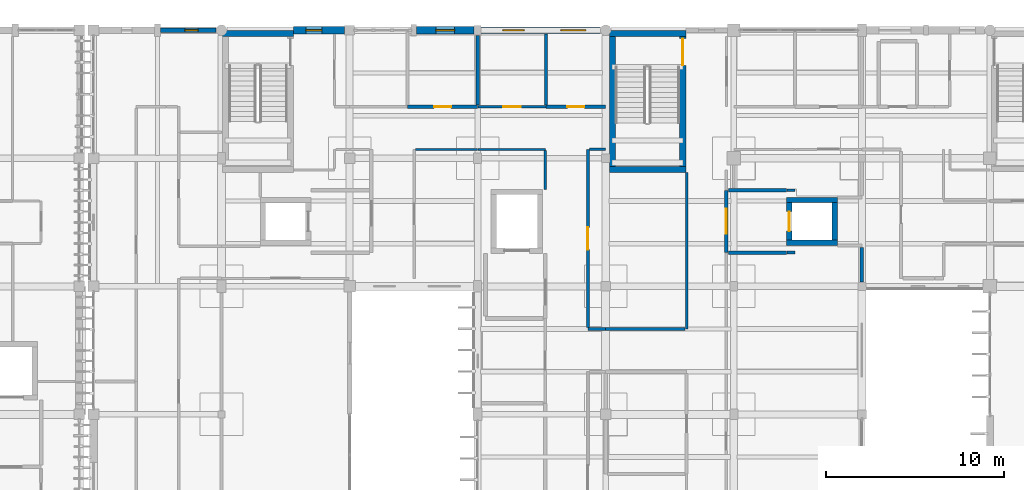
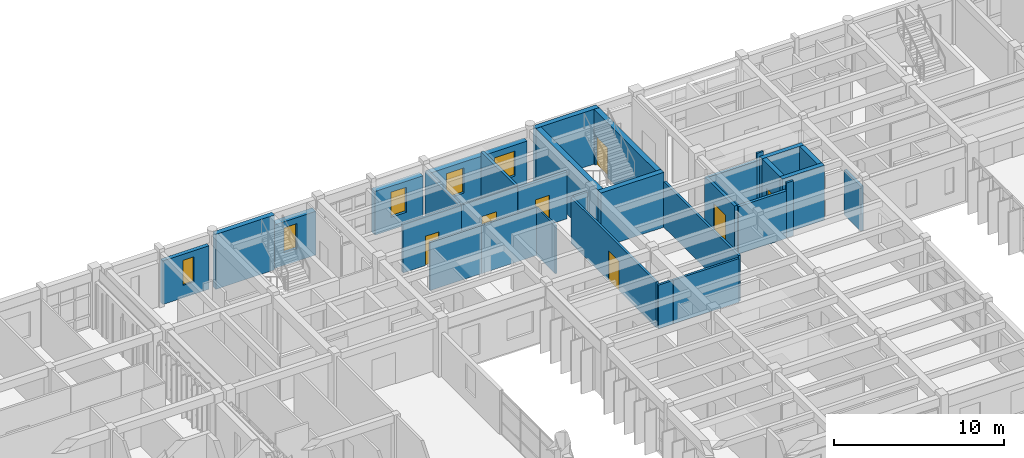
# One storey, part 40 of 55: 32 walls, 7 doors, 5 windows, 12 openings.
"""IFC4 building model written with IfcOpenShell, lengths in metres."""

import ifcopenshell
import ifcopenshell.guid

model = None  # the IFC model being written
_history = None  # IfcOwnerHistory: only IFC2X3 demands one
_inside = {}  # id of a spatial element -> (the spatial element, [elements in it])
_under = {}  # id of a project, library or spatial element -> (it, [spatial elements below it])
_declared = {}  # id of a project -> (the project, [libraries it declares])
_typed = {}  # id of a type object -> (the type object, [elements of that type])
_made_of = {}  # id of a material, layer set ... -> (it, [elements and type objects made of it])


def new_model(schema):
    """Start an empty IFC model of exactly this schema.

    Asked for "IFC4X3", IfcOpenShell would pick the latest addendum, in which some entities
    have other attributes; the version numbers below select the first issue.
    IFC2X3 requires an IfcOwnerHistory on every rooted entity: one is made here for all.
    """
    global model, _history
    if schema == "IFC4X3":
        model = ifcopenshell.file(schema_version=(4, 3, 0, 0))
    else:
        model = ifcopenshell.file(schema=schema)
    _inside.clear()
    _under.clear()
    _declared.clear()
    _typed.clear()
    _made_of.clear()
    _history = None
    if model.schema == "IFC2X3":
        org = make("IfcOrganization", Name="unknown")
        user = make(
            "IfcPersonAndOrganization",
            ThePerson=make("IfcPerson", FamilyName="unknown"),
            TheOrganization=org,
        )
        app = make(
            "IfcApplication",
            ApplicationDeveloper=org,
            Version="unknown",
            ApplicationFullName="unknown",
            ApplicationIdentifier="unknown",
        )
        _history = make(
            "IfcOwnerHistory",
            OwningUser=user,
            OwningApplication=app,
            ChangeAction="ADDED",
            CreationDate=0,
        )
    return model


def make(cls, **values):
    """One entity of the class cls with the attributes given. An attribute that is None is left unset."""
    return model.create_entity(
        cls, **{name: value for name, value in values.items() if value is not None}
    )


def rooted(cls, **values):
    """An entity with a GlobalId (a new one), such as an element, a storey or a relation."""
    return make(cls, GlobalId=ifcopenshell.guid.new(), OwnerHistory=_history, **values)


def si_unit(unit_type, name, prefix=None):
    """IfcSIUnit, for example si_unit("LENGTHUNIT", "METRE", prefix="MILLI")."""
    return make("IfcSIUnit", UnitType=unit_type, Prefix=prefix, Name=name)


def assignment(units):
    """IfcUnitAssignment: the units of a project."""
    return None if units is None else make("IfcUnitAssignment", Units=units)


def point(xyz):
    """IfcCartesianPoint."""
    return None if xyz is None else make("IfcCartesianPoint", Coordinates=xyz)


def direction(xyz):
    """IfcDirection."""
    return None if xyz is None else make("IfcDirection", DirectionRatios=xyz)


def frame(location, z_axis=None, x_axis=None):
    """IfcAxis2Placement3D, a coordinate frame: its origin and axes. An axis left out is left unset."""
    return make(
        "IfcAxis2Placement3D",
        Location=point(location),
        Axis=direction(z_axis),
        RefDirection=direction(x_axis),
    )


def frame_2d(location, x_axis=None):
    """IfcAxis2Placement2D, a coordinate frame in the plane: its origin and x axis."""
    return make(
        "IfcAxis2Placement2D", Location=point(location), RefDirection=direction(x_axis)
    )


def origin():
    """The frame at (0, 0, 0) with its axes left unset."""
    return frame((0.0, 0.0, 0.0))


def place(relative_to, where):
    """IfcLocalPlacement: puts the frame where relative to a parent placement (None: the world)."""
    return make(
        "IfcLocalPlacement", PlacementRelTo=relative_to, RelativePlacement=where
    )


def context(
    kind, dimensions, precision=None, world=None, true_north=None, identifier=None
):
    """IfcGeometricRepresentationContext, for example the 3D "Model" context."""
    return make(
        "IfcGeometricRepresentationContext",
        ContextIdentifier=identifier,
        ContextType=kind,
        CoordinateSpaceDimension=dimensions,
        Precision=precision,
        WorldCoordinateSystem=world,
        TrueNorth=true_north,
    )


def subcontext(parent, identifier, kind, view, scale=None):
    """IfcGeometricRepresentationSubContext, for example "Body" below "Model"."""
    return make(
        "IfcGeometricRepresentationSubContext",
        ContextIdentifier=identifier,
        ContextType=kind,
        ParentContext=parent,
        TargetScale=scale,
        TargetView=view,
    )


def project(units=None, contexts=None):
    """IfcProject with its units and contexts."""
    return rooted(
        "IfcProject",
        Name="project",
        RepresentationContexts=contexts,
        UnitsInContext=assignment(units),
    )


def spatial(cls, under=None, at=None, **own):
    """A site, building, storey or space (cls), placed at a placement, below another one or the project."""
    s = rooted(cls, ObjectPlacement=at, **own)
    if under is not None:
        _under.setdefault(under.id(), (under, []))[1].append(s)
    return s


def profile(cls, at=None, kind="AREA", **sizes):
    """A parametric profile (cls). Its sizes go by their IFC names, for example OverallWidth=200.0."""
    return make(cls, ProfileType=kind, Position=at, **sizes)


def rectangle(**sizes):
    """IfcRectangleProfileDef."""
    return profile("IfcRectangleProfileDef", **sizes)


def extrude(swept, where, along, depth):
    """IfcExtrudedAreaSolid: the profile swept, set in the frame where, extruded along a direction by depth."""
    return make(
        "IfcExtrudedAreaSolid",
        SweptArea=swept,
        Position=where,
        ExtrudedDirection=direction(along),
        Depth=depth,
    )


def shape(context_of_items, identifier, shape_type, items):
    """IfcShapeRepresentation: the items that make up one representation, for example the "Body"."""
    return make(
        "IfcShapeRepresentation",
        ContextOfItems=context_of_items,
        RepresentationIdentifier=identifier,
        RepresentationType=shape_type,
        Items=items,
    )


def material(Name=None, Category=None):
    """IfcMaterial."""
    return make("IfcMaterial", Name=Name, Category=Category)


def layer(
    of_material, thickness, ventilated=None, Name=None, Category=None, Priority=None
):
    """IfcMaterialLayer: one layer of a wall or slab, of a material (None: an air gap)."""
    return make(
        "IfcMaterialLayer",
        Material=of_material,
        LayerThickness=thickness,
        IsVentilated=ventilated,
        Name=Name,
        Category=Category,
        Priority=Priority,
    )


def layer_set(layers, Name=None):
    """IfcMaterialLayerSet."""
    return make("IfcMaterialLayerSet", MaterialLayers=layers, LayerSetName=Name)


def made_of(thing, what):
    """Note that an element or type object is made of a material, layer set ...; save() writes the relation."""
    if what is not None:
        _made_of.setdefault(what.id(), (what, []))[1].append(thing)
    return thing


def type_object(cls, material=None, **own):
    """A type object (cls), such as IfcWallType, which elements share."""
    return made_of(rooted(cls, **own), material)


def element(
    cls,
    number,
    at=None,
    inside=None,
    cuts=None,
    type_object=None,
    material=None,
    context=None,
    identifier="Body",
    shape_type=None,
    held_by="IfcProductDefinitionShape",
    body=None,
    shapes=None,
    **own,
):
    """One element of the class cls, such as IfcWall. Its Tag is "e" and its number.

    at: its placement. inside: the storey or other place that contains it. cuts: it is an
    opening in that element (IfcRelVoidsElement). A single representation is given by context,
    identifier, shape_type and body (its items); several are given by shapes. held_by: the class
    of the entity that holds the representations. save() writes the other relations.
    """
    e = rooted(cls, Tag="e%d" % number, ObjectPlacement=at, **own)
    if body is not None:
        shapes = [shape(context, identifier, shape_type, body)]
    if shapes is not None:
        e.Representation = make(held_by, Representations=shapes)
    if inside is not None:
        _inside.setdefault(inside.id(), (inside, []))[1].append(e)
    if cuts is not None:
        rooted(
            "IfcRelVoidsElement", RelatingBuildingElement=cuts, RelatedOpeningElement=e
        )
    if type_object is not None:
        _typed.setdefault(type_object.id(), (type_object, []))[1].append(e)
    return made_of(e, material)


def fill(opening, filler):
    """IfcRelFillsElement: the door or window that sits in an opening."""
    return rooted(
        "IfcRelFillsElement",
        RelatingOpeningElement=opening,
        RelatedBuildingElement=filler,
    )


def aggregate(whole, parts):
    """IfcRelAggregates: a whole, such as a stair, and the parts it consists of."""
    return rooted("IfcRelAggregates", RelatingObject=whole, RelatedObjects=parts)


def save(model, path):
    """Write the relations noted so far, then the file.

    IfcRelAggregates (storeys below a building ...), IfcRelContainedInSpatialStructure (elements
    in a storey), IfcRelDefinesByType, IfcRelAssociatesMaterial and IfcRelDeclares: one each for
    every whole, place, type object, material and project.
    """
    for whole, parts in _under.values():
        aggregate(whole, parts)
    for where, things in _inside.values():
        rooted(
            "IfcRelContainedInSpatialStructure",
            RelatedElements=things,
            RelatingStructure=where,
        )
    for kind, things in _typed.values():
        rooted("IfcRelDefinesByType", RelatedObjects=things, RelatingType=kind)
    for what, things in _made_of.values():
        rooted("IfcRelAssociatesMaterial", RelatedObjects=things, RelatingMaterial=what)
    for by, libraries in _declared.values():
        rooted("IfcRelDeclares", RelatingContext=by, RelatedDefinitions=libraries)
    model.write(path)


model = new_model("IFC4")

# Units and contexts
model_context = context("Model", 3, precision=1e-05, world=origin(), true_north=direction((0.0, 1.0)))
body_context = subcontext(model_context, "Body", "Model", "MODEL_VIEW")
ifc_project = project(units=[si_unit("LENGTHUNIT", "METRE"), si_unit("AREAUNIT", "SQUARE_METRE"), si_unit("VOLUMEUNIT", "CUBIC_METRE"), si_unit("PLANEANGLEUNIT", "RADIAN"), si_unit("MASSUNIT", "GRAM", prefix="KILO")], contexts=[model_context])

# Site, building, storey
site_placement = place(None, origin())
site = spatial("IfcSite", under=ifc_project, at=site_placement, CompositionType="ELEMENT")
building_placement = place(site_placement, origin())
building = spatial("IfcBuilding", under=site, at=building_placement, Name="Steenspoor Specialist Clinic", CompositionType="ELEMENT")
storey_placement = place(building_placement, frame((0.0, 0.0, 13.199951171875)))
storey = spatial("IfcBuildingStorey", under=building, at=storey_placement, Name="L03", CompositionType="ELEMENT", Elevation=13.199951171875)

# Wall, openings, windows
ifc_material_1 = material(Name="Extruded clay brick masonry", Category="masonry")
ifc_layer_1 = layer(ifc_material_1, 0.3798828125)
ifc_layer_set_1 = layer_set([ifc_layer_1], Name="Extruded clay brick masonry")
wall_type_1 = type_object("IfcWallType", Name="W-BRICK-380", PredefinedType="USERDEFINED", material=ifc_layer_set_1)
wall_1_placement = place(storey_placement, frame((74.199951171875, 108.35009765625, 0.0), z_axis=(0.0, 0.0, 1.0), x_axis=(1.0, 0.0, 0.0)))
wall_1 = element("IfcWall", 1, at=wall_1_placement, inside=storey, type_object=wall_type_1, Name="Exterior Brick Wall EW-V4-L03-0167", ObjectType="CAVITY VENEER", PredefinedType="USERDEFINED", context=body_context, shape_type="SweptSolid", body=[
    extrude(rectangle(XDim=6.699951171875, YDim=0.3798828125, at=frame_2d((3.35009765625, 0.0))), origin(), (0.0, 0.0, 1.0), 3.130126953125),
])
opening_1_placement = place(wall_1_placement, frame((1.215087890625, 0.0, 0.89990234375)))
opening_1 = element("IfcOpeningElement", 2, at=opening_1_placement, cuts=wall_1, Name="Opening WN-05", PredefinedType="OPENING", context=body_context, shape_type="SweptSolid", body=[
    extrude(rectangle(XDim=1.199951171875, YDim=1.800048828125, at=frame_2d((0.60009765625, 0.89990234375))), frame((0.0, 0.199951171875, 0.0), z_axis=(0.0, -1.0, 0.0), x_axis=(1.0, 0.0, 0.0)), (0.0, 0.0, 1.0), 0.39990234375),
])
opening_2_placement = place(wall_1_placement, frame((4.485107421875, 0.0, 0.89990234375)))
opening_2 = element("IfcOpeningElement", 3, at=opening_2_placement, cuts=wall_1, Name="Opening WN-06", PredefinedType="OPENING", context=body_context, shape_type="SweptSolid", body=[
    extrude(rectangle(XDim=1.39990234375, YDim=1.800048828125, at=frame_2d((0.699951171875, 0.89990234375))), frame((0.0, 0.199951171875, 0.0), z_axis=(0.0, -1.0, 0.0), x_axis=(1.0, 0.0, 0.0)), (0.0, 0.0, 1.0), 0.39990234375),
])
ifc_material_2 = material(Name="Thermally broken aluminium and low-emissivity glass", Category="aluminium")
window_type_1 = type_object("IfcWindowType", Name="WN-EXT-120X180", PartitioningType="SINGLE_PANEL", PredefinedType="WINDOW", material=ifc_material_2)
window_1_placement = place(opening_1_placement, origin())
window_1 = element("IfcWindow", 4, at=window_1_placement, inside=storey, type_object=window_type_1, Name="Window 0194", OverallHeight=1.800048828125, OverallWidth=1.199951171875, PartitioningType="SINGLE_PANEL", PredefinedType="WINDOW", context=body_context, shape_type="SweptSolid", body=[
    extrude(rectangle(XDim=1.199951171875, YDim=1.800048828125, at=frame_2d((0.60009765625, 0.89990234375))), frame((0.0, 0.030029296875, 0.0), z_axis=(0.0, -1.0, 0.0), x_axis=(1.0, 0.0, 0.0)), (0.0, 0.0, 1.0), 0.06005859375),
])
fill(opening_1, window_1)
window_type_2 = type_object("IfcWindowType", Name="WN-EXT-140X180", PartitioningType="SINGLE_PANEL", PredefinedType="WINDOW", material=ifc_material_2)
window_2_placement = place(opening_2_placement, origin())
window_2 = element("IfcWindow", 5, at=window_2_placement, inside=storey, type_object=window_type_2, Name="Window 0195", OverallHeight=1.800048828125, OverallWidth=1.39990234375, PartitioningType="SINGLE_PANEL", PredefinedType="WINDOW", context=body_context, shape_type="SweptSolid", body=[
    extrude(rectangle(XDim=1.39990234375, YDim=1.800048828125, at=frame_2d((0.699951171875, 0.89990234375))), frame((0.0, 0.030029296875, 0.0), z_axis=(0.0, -1.0, 0.0), x_axis=(1.0, 0.0, 0.0)), (0.0, 0.0, 1.0), 0.06005859375),
])
fill(opening_2, window_2)

# Wall, opening, window
ifc_layer_2 = layer(ifc_material_1, 0.409912109375)
ifc_layer_set_2 = layer_set([ifc_layer_2], Name="Extruded clay brick masonry")
wall_type_2 = type_object("IfcWallType", Name="W-BRICK-410", PredefinedType="USERDEFINED", material=ifc_layer_set_2)
wall_2_placement = place(storey_placement, frame((70.550048828125, 108.35009765625, 0.0), z_axis=(0.0, 0.0, 1.0), x_axis=(1.0, 0.0, 0.0)))
wall_2 = element("IfcWall", 6, at=wall_2_placement, inside=storey, type_object=wall_type_2, Name="Exterior Brick Wall EW-V4-L03-0166", ObjectType="CAVITY VENEER", PredefinedType="USERDEFINED", context=body_context, shape_type="SweptSolid", body=[
    extrude(rectangle(XDim=3.25, YDim=0.409912109375, at=frame_2d((1.625, 0.0))), origin(), (0.0, 0.0, 1.0), 3.130126953125),
])
opening_3_placement = place(wall_2_placement, frame((1.10009765625, 0.0, 0.89990234375)))
opening_3 = element("IfcOpeningElement", 7, at=opening_3_placement, cuts=wall_2, Name="Opening WN-04", PredefinedType="OPENING", context=body_context, shape_type="SweptSolid", body=[
    extrude(rectangle(XDim=1.050048828125, YDim=1.800048828125, at=frame_2d((0.52490234375, 0.89990234375))), frame((0.0, 0.21484375, 0.0), z_axis=(0.0, -1.0, 0.0), x_axis=(1.0, 0.0, 0.0)), (0.0, 0.0, 1.0), 0.429931640625),
])
window_type_3 = type_object("IfcWindowType", Name="WN-EXT-105X180", PartitioningType="SINGLE_PANEL", PredefinedType="WINDOW", material=ifc_material_2)
window_3_placement = place(opening_3_placement, origin())
window_3 = element("IfcWindow", 8, at=window_3_placement, inside=storey, type_object=window_type_3, Name="Window 0193", OverallHeight=1.800048828125, OverallWidth=1.050048828125, PartitioningType="SINGLE_PANEL", PredefinedType="WINDOW", context=body_context, shape_type="SweptSolid", body=[
    extrude(rectangle(XDim=1.050048828125, YDim=1.800048828125, at=frame_2d((0.52490234375, 0.89990234375))), frame((0.0, 0.030029296875, 0.0), z_axis=(0.0, -1.0, 0.0), x_axis=(1.0, 0.0, 0.0)), (0.0, 0.0, 1.0), 0.06005859375),
])
fill(opening_3, window_3)

ifc_layer_3 = layer(ifc_material_1, 0.43994140625)
ifc_layer_set_3 = layer_set([ifc_layer_3], Name="Extruded clay brick masonry")
wall_type_3 = type_object("IfcWallType", Name="W-BRICK-440", PredefinedType="USERDEFINED", material=ifc_layer_set_3)
wall_3_placement = place(storey_placement, frame((63.64990234375, 108.35009765625, 0.0), z_axis=(0.0, 0.0, 1.0), x_axis=(1.0, 0.0, 0.0)))
wall_3 = element("IfcWall", 9, at=wall_3_placement, inside=storey, type_object=wall_type_3, Name="Exterior Brick Wall EW-V4-L03-0165", ObjectType="CAVITY VENEER", PredefinedType="USERDEFINED", context=body_context, shape_type="SweptSolid", body=[
    extrude(rectangle(XDim=2.875, YDim=0.43994140625, at=frame_2d((1.4375, 0.0))), origin(), (0.0, 0.0, 1.0), 3.130126953125),
])
opening_4_placement = place(wall_3_placement, frame((0.68994140625, 0.0, 0.89990234375)))
opening_4 = element("IfcOpeningElement", 10, at=opening_4_placement, cuts=wall_3, Name="Opening WN-03", PredefinedType="OPENING", context=body_context, shape_type="SweptSolid", body=[
    extrude(rectangle(XDim=0.89990234375, YDim=1.800048828125, at=frame_2d((0.449951171875, 0.89990234375))), frame((0.0, 0.22998046875, 0.0), z_axis=(0.0, -1.0, 0.0), x_axis=(1.0, 0.0, 0.0)), (0.0, 0.0, 1.0), 0.4599609375),
])
window_type_4 = type_object("IfcWindowType", Name="WN-EXT-090X180", PartitioningType="SINGLE_PANEL", PredefinedType="WINDOW", material=ifc_material_2)
window_4_placement = place(opening_4_placement, origin())
window_4 = element("IfcWindow", 11, at=window_4_placement, inside=storey, type_object=window_type_4, Name="Window 0192", OverallHeight=1.800048828125, OverallWidth=0.89990234375, PartitioningType="SINGLE_PANEL", PredefinedType="WINDOW", context=body_context, shape_type="SweptSolid", body=[
    extrude(rectangle(XDim=0.89990234375, YDim=1.800048828125, at=frame_2d((0.449951171875, 0.89990234375))), frame((0.0, 0.030029296875, 0.0), z_axis=(0.0, -1.0, 0.0), x_axis=(1.0, 0.0, 0.0)), (0.0, 0.0, 1.0), 0.06005859375),
])
fill(opening_4, window_4)

# Walls
ifc_material_3 = material(Name="Gypsum acoustic clinical partition", Category="gypsum")
ifc_layer_4 = layer(ifc_material_3, 0.14990234375)
ifc_layer_set_4 = layer_set([ifc_layer_4], Name="Gypsum acoustic clinical partition")
wall_type_4 = type_object("IfcWallType", Name="W-CLIN-150", PredefinedType="PARTITIONING", material=ifc_layer_set_4)
wall_4_placement = place(storey_placement, frame((85.75, 91.550048828125, 0.0), z_axis=(0.0, 0.0, 1.0), x_axis=(0.0, 1.0, 0.0)))
element("IfcWall", 12, at=wall_4_placement, inside=storey, type_object=wall_type_4, Name="Interior Partition IW-V4-L03-1579", PredefinedType="PARTITIONING", context=body_context, shape_type="SweptSolid", body=[
    extrude(rectangle(XDim=8.800048828125, YDim=0.14990234375, at=frame_2d((4.39990234375, 0.0))), origin(), (0.0, 0.0, 1.0), 3.28515625),
])
wall_5_placement = place(storey_placement, frame((81.199951171875, 91.550048828125, 0.0), z_axis=(0.0, 0.0, 1.0), x_axis=(1.0, 0.0, 0.0)))
element("IfcWall", 13, at=wall_5_placement, inside=storey, type_object=wall_type_4, Name="Interior Partition IW-V4-L03-1580", PredefinedType="PARTITIONING", context=body_context, shape_type="SweptSolid", body=[
    extrude(rectangle(XDim=4.4599609375, YDim=0.14990234375, at=frame_2d((2.22998046875, 0.0))), origin(), (0.0, 0.0, 1.0), 3.135009765625),
])
wall_6_placement = place(storey_placement, frame((80.199951171875, 91.550048828125, 0.0), z_axis=(0.0, 0.0, 1.0), x_axis=(1.0, 0.0, 0.0)))
element("IfcWall", 14, at=wall_6_placement, inside=storey, type_object=wall_type_4, Name="Interior Partition IW-V4-L03-1581", PredefinedType="PARTITIONING", context=body_context, shape_type="SweptSolid", body=[
    extrude(rectangle(XDim=0.985107421875, YDim=0.14990234375, at=frame_2d((0.49267578125, 0.0))), origin(), (0.0, 0.0, 1.0), 3.135009765625),
])

# Wall, opening, door
wall_7_placement = place(storey_placement, frame((80.199951171875, 91.639892578125, 0.0), z_axis=(0.0, 0.0, 1.0), x_axis=(0.0, 1.0, 0.0)))
wall_7 = element("IfcWall", 15, at=wall_7_placement, inside=storey, type_object=wall_type_4, Name="Interior Partition IW-V4-L03-1582", PredefinedType="PARTITIONING", context=body_context, shape_type="SweptSolid", body=[
    extrude(rectangle(XDim=10.010009765625, YDim=0.14990234375, at=frame_2d((5.0048828125, 0.0))), origin(), (0.0, 0.0, 1.0), 3.28515625),
])
opening_5_placement = place(wall_7_placement, frame((4.3798828125, 0.0, 0.0)))
opening_5 = element("IfcOpeningElement", 16, at=opening_5_placement, cuts=wall_7, Name="Opening D0272", PredefinedType="OPENING", context=body_context, shape_type="SweptSolid", body=[
    extrude(rectangle(XDim=1.25, YDim=2.14990234375, at=frame_2d((0.625, 1.074951171875))), frame((0.0, 0.0849609375, 0.0), z_axis=(0.0, -1.0, 0.0), x_axis=(1.0, 0.0, 0.0)), (0.0, 0.0, 1.0), 0.169921875),
])
ifc_material_4 = material(Name="Hygienic HPL clinical timber door", Category="wood")
door_type_1 = type_object("IfcDoorType", Name="DT-EXAM-125X215", OperationType="NOTDEFINED", PredefinedType="DOOR", material=ifc_material_4)
door_1_placement = place(opening_5_placement, origin())
door_1 = element("IfcDoor", 17, at=door_1_placement, inside=storey, type_object=door_type_1, Name="Clinical Door D0272", OperationType="SINGLE_SWING_LEFT", OverallHeight=2.14990234375, OverallWidth=1.25, PredefinedType="DOOR", context=body_context, shape_type="SweptSolid", body=[
    extrude(rectangle(XDim=1.25, YDim=2.14990234375, at=frame_2d((0.625, 1.074951171875))), frame((0.0, 0.02490234375, 0.0), z_axis=(0.0, -1.0, 0.0), x_axis=(1.0, 0.0, 0.0)), (0.0, 0.0, 1.0), 0.050048828125),
])
fill(opening_5, door_1)

# Walls
wall_8_placement = place(storey_placement, frame((80.2900390625, 101.64990234375, 0.0), z_axis=(0.0, 0.0, 1.0), x_axis=(1.0, 0.0, 0.0)))
element("IfcWall", 18, at=wall_8_placement, inside=storey, type_object=wall_type_4, Name="Interior Partition IW-V4-L03-1583", PredefinedType="PARTITIONING", context=body_context, shape_type="SweptSolid", body=[
    extrude(rectangle(XDim=0.909912109375, YDim=0.14990234375, at=frame_2d((0.455078125, 0.0))), origin(), (0.0, 0.0, 1.0), 3.35498046875),
])
wall_9_placement = place(storey_placement, frame((91.389892578125, 95.85009765625, 0.0), z_axis=(0.0, 0.0, 1.0), x_axis=(1.0, 0.0, 0.0)))
element("IfcWall", 19, at=wall_9_placement, inside=storey, type_object=wall_type_4, Name="Interior Partition IW-V4-L03-1736", PredefinedType="PARTITIONING", context=body_context, shape_type="SweptSolid", body=[
    extrude(rectangle(XDim=0.460205078125, YDim=0.14990234375, at=frame_2d((0.22998046875, 0.0))), origin(), (0.0, 0.0, 1.0), 3.949951171875),
])
ifc_material_5 = material(Name="Concrete C40/50", Category="concrete")
ifc_layer_5 = layer(ifc_material_5, 0.330078125)
ifc_layer_set_5 = layer_set([ifc_layer_5], Name="Concrete C40/50")
wall_type_5 = type_object("IfcWallType", Name="W-ESW-330", PredefinedType="SHEAR", material=ifc_layer_set_5)
wall_10_placement = place(storey_placement, frame((59.64990234375, 108.175048828125, 0.0), z_axis=(0.0, 0.0, 1.0), x_axis=(1.0, 0.0, 0.0)))
element("IfcWall", 20, at=wall_10_placement, inside=storey, type_object=wall_type_5, Name="Core Shear Wall SW-ST-V4A-L03-N", PredefinedType="SHEAR", context=body_context, shape_type="SweptSolid", body=[
    extrude(rectangle(XDim=4.0, YDim=0.330078125, at=frame_2d((2.0, 0.0))), origin(), (0.0, 0.0, 1.0), 3.949951171875),
])
wall_11_placement = place(storey_placement, frame((81.39990234375, 108.175048828125, 0.0), z_axis=(0.0, 0.0, 1.0), x_axis=(1.0, 0.0, 0.0)))
element("IfcWall", 21, at=wall_11_placement, inside=storey, type_object=wall_type_5, Name="Core Shear Wall SW-ST-V4C-L03-N", PredefinedType="SHEAR", context=body_context, shape_type="SweptSolid", body=[
    extrude(rectangle(XDim=4.300048828125, YDim=0.330078125, at=frame_2d((2.14990234375, 0.0))), origin(), (0.0, 0.0, 1.0), 3.949951171875),
])
ifc_material_6 = material(Name="Gypsum studio partition board", Category="gypsum")
ifc_layer_6 = layer(ifc_material_6, 0.1201171875)
ifc_layer_set_6 = layer_set([ifc_layer_6], Name="Gypsum studio partition board")
wall_type_6 = type_object("IfcWallType", Name="W-PART-120", PredefinedType="PARTITIONING", material=ifc_layer_set_6)
wall_12_placement = place(storey_placement, frame((70.5048828125, 101.64990234375, 0.0), z_axis=(0.0, 0.0, 1.0), x_axis=(1.0, 0.0, 0.0)))
element("IfcWall", 22, at=wall_12_placement, inside=storey, type_object=wall_type_6, Name="Interior Partition IW-V4-L03-1649", PredefinedType="PARTITIONING", context=body_context, shape_type="SweptSolid", body=[
    extrude(rectangle(XDim=3.4951171875, YDim=0.1201171875, at=frame_2d((1.74755859375, 0.0))), origin(), (0.0, 0.0, 1.0), 3.455078125),
])
wall_13_placement = place(storey_placement, frame((74.014892578125, 101.64990234375, 0.0), z_axis=(0.0, 0.0, 1.0), x_axis=(1.0, 0.0, 0.0)))
element("IfcWall", 23, at=wall_13_placement, inside=storey, type_object=wall_type_6, Name="Interior Partition IW-V4-L03-1650", PredefinedType="PARTITIONING", context=body_context, shape_type="SweptSolid", body=[
    extrude(rectangle(XDim=3.78515625, YDim=0.1201171875, at=frame_2d((1.892578125, 0.0))), origin(), (0.0, 0.0, 1.0), 3.455078125),
])
wall_14_placement = place(storey_placement, frame((77.800048828125, 99.39990234375, 0.0), z_axis=(0.0, 0.0, 1.0), x_axis=(0.0, 1.0, 0.0)))
element("IfcWall", 24, at=wall_14_placement, inside=storey, type_object=wall_type_6, Name="Interior Partition IW-V4-L03-1651", PredefinedType="PARTITIONING", context=body_context, shape_type="SweptSolid", body=[
    extrude(rectangle(XDim=2.175048828125, YDim=0.1201171875, at=frame_2d((1.08740234375, 0.0))), origin(), (0.0, 0.0, 1.0), 3.455078125),
])

# Wall, opening, door
wall_15_placement = place(storey_placement, frame((74.014892578125, 104.050048828125, 0.0), z_axis=(0.0, 0.0, 1.0), x_axis=(1.0, 0.0, 0.0)))
wall_15 = element("IfcWall", 25, at=wall_15_placement, inside=storey, type_object=wall_type_6, Name="Interior Partition IW-V4-L03-1667", PredefinedType="PARTITIONING", context=body_context, shape_type="SweptSolid", body=[
    extrude(rectangle(XDim=3.820068359375, YDim=0.1201171875, at=frame_2d((1.91015625, 0.0))), origin(), (0.0, 0.0, 1.0), 3.455078125),
])
opening_6_placement = place(wall_15_placement, frame((1.409912109375, 0.0, 0.0)))
opening_6 = element("IfcOpeningElement", 26, at=opening_6_placement, cuts=wall_15, Name="Opening D0281", PredefinedType="OPENING", context=body_context, shape_type="SweptSolid", body=[
    extrude(rectangle(XDim=1.0, YDim=2.14990234375, at=frame_2d((0.5, 1.074951171875))), frame((0.0, 0.070068359375, 0.0), z_axis=(0.0, -1.0, 0.0), x_axis=(1.0, 0.0, 0.0)), (0.0, 0.0, 1.0), 0.14013671875),
])
ifc_material_7 = material(Name="Moisture-resistant HPL accessible WC door", Category="wood")
door_type_2 = type_object("IfcDoorType", Name="DT-AWC-100X215", OperationType="NOTDEFINED", PredefinedType="DOOR", material=ifc_material_7)
door_2_placement = place(opening_6_placement, origin())
door_2 = element("IfcDoor", 27, at=door_2_placement, inside=storey, type_object=door_type_2, Name="Clinical Door D0281", OperationType="SINGLE_SWING_RIGHT", OverallHeight=2.14990234375, OverallWidth=1.0, PredefinedType="DOOR", context=body_context, shape_type="SweptSolid", body=[
    extrude(rectangle(XDim=1.0, YDim=2.14990234375, at=frame_2d((0.5, 1.074951171875))), frame((0.0, 0.02490234375, 0.0), z_axis=(0.0, -1.0, 0.0), x_axis=(1.0, 0.0, 0.0)), (0.0, 0.0, 1.0), 0.050048828125),
])
fill(opening_6, door_2)

# Wall
wall_16_placement = place(storey_placement, frame((91.389892578125, 99.35009765625, 0.0), z_axis=(0.0, 0.0, 1.0), x_axis=(1.0, 0.0, 0.0)))
element("IfcWall", 28, at=wall_16_placement, inside=storey, type_object=wall_type_6, Name="Interior Partition IW-V4-L03-1778", PredefinedType="PARTITIONING", context=body_context, shape_type="SweptSolid", body=[
    extrude(rectangle(XDim=0.460205078125, YDim=0.1201171875, at=frame_2d((0.22998046875, 0.0))), origin(), (0.0, 0.0, 1.0), 3.949951171875),
])

# Wall, opening, door
ifc_material_8 = material(Name="Moisture-resistant gypsum plumbing wall", Category="gypsum")
ifc_layer_7 = layer(ifc_material_8, 0.179931640625)
ifc_layer_set_7 = layer_set([ifc_layer_7], Name="Moisture-resistant gypsum plumbing wall")
wall_type_7 = type_object("IfcWallType", Name="W-PLUMB-180", PredefinedType="PLUMBINGWALL", material=ifc_layer_set_7)
wall_17_placement = place(storey_placement, frame((70.050048828125, 104.050048828125, 0.0), z_axis=(0.0, 0.0, 1.0), x_axis=(1.0, 0.0, 0.0)))
wall_17 = element("IfcWall", 29, at=wall_17_placement, inside=storey, type_object=wall_type_7, Name="Interior Partition IW-V4-L03-1550", PredefinedType="PLUMBINGWALL", context=body_context, shape_type="SweptSolid", body=[
    extrude(rectangle(XDim=3.949951171875, YDim=0.179931640625, at=frame_2d((1.97509765625, 0.0))), origin(), (0.0, 0.0, 1.0), 3.455078125),
])
opening_7_placement = place(wall_17_placement, frame((1.5, 0.0, 0.0)))
opening_7 = element("IfcOpeningElement", 30, at=opening_7_placement, cuts=wall_17, Name="Opening D0280", PredefinedType="OPENING", context=body_context, shape_type="SweptSolid", body=[
    extrude(rectangle(XDim=0.949951171875, YDim=2.10009765625, at=frame_2d((0.47509765625, 1.050048828125))), frame((0.0, 0.10009765625, 0.0), z_axis=(0.0, -1.0, 0.0), x_axis=(1.0, 0.0, 0.0)), (0.0, 0.0, 1.0), 0.199951171875),
])
ifc_material_9 = material(Name="Moisture-resistant HPL sanitary door", Category="wood")
door_type_3 = type_object("IfcDoorType", Name="DT-WC-095X210", OperationType="NOTDEFINED", PredefinedType="DOOR", material=ifc_material_9)
door_3_placement = place(opening_7_placement, origin())
door_3 = element("IfcDoor", 31, at=door_3_placement, inside=storey, type_object=door_type_3, Name="Clinical Door D0280", OperationType="SINGLE_SWING_LEFT", OverallHeight=2.10009765625, OverallWidth=0.949951171875, PredefinedType="DOOR", context=body_context, shape_type="SweptSolid", body=[
    extrude(rectangle(XDim=0.949951171875, YDim=2.10009765625, at=frame_2d((0.47509765625, 1.050048828125))), frame((0.0, 0.02490234375, 0.0), z_axis=(0.0, -1.0, 0.0), x_axis=(1.0, 0.0, 0.0)), (0.0, 0.0, 1.0), 0.050048828125),
])
fill(opening_7, door_3)

wall_18_placement = place(storey_placement, frame((77.85009765625, 104.050048828125, 0.0), z_axis=(0.0, 0.0, 1.0), x_axis=(1.0, 0.0, 0.0)))
wall_18 = element("IfcWall", 32, at=wall_18_placement, inside=storey, type_object=wall_type_7, Name="Interior Partition IW-V4-L03-1551", PredefinedType="PLUMBINGWALL", context=body_context, shape_type="SweptSolid", body=[
    extrude(rectangle(XDim=3.349853515625, YDim=0.179931640625, at=frame_2d((1.6748046875, 0.0))), origin(), (0.0, 0.0, 1.0), 3.35498046875),
])
opening_8_placement = place(wall_18_placement, frame((1.199951171875, 0.0, 0.0)))
opening_8 = element("IfcOpeningElement", 33, at=opening_8_placement, cuts=wall_18, Name="Opening D0282", PredefinedType="OPENING", context=body_context, shape_type="SweptSolid", body=[
    extrude(rectangle(XDim=0.949951171875, YDim=2.10009765625, at=frame_2d((0.47509765625, 1.050048828125))), frame((0.0, 0.10009765625, 0.0), z_axis=(0.0, -1.0, 0.0), x_axis=(1.0, 0.0, 0.0)), (0.0, 0.0, 1.0), 0.199951171875),
])
door_4_placement = place(opening_8_placement, origin())
door_4 = element("IfcDoor", 34, at=door_4_placement, inside=storey, type_object=door_type_3, Name="Clinical Door D0282", OperationType="SINGLE_SWING_LEFT", OverallHeight=2.10009765625, OverallWidth=0.949951171875, PredefinedType="DOOR", context=body_context, shape_type="SweptSolid", body=[
    extrude(rectangle(XDim=0.949951171875, YDim=2.10009765625, at=frame_2d((0.47509765625, 1.050048828125))), frame((0.0, 0.02490234375, 0.0), z_axis=(0.0, -1.0, 0.0), x_axis=(1.0, 0.0, 0.0)), (0.0, 0.0, 1.0), 0.050048828125),
])
fill(opening_8, door_4)

# Walls
wall_19_placement = place(storey_placement, frame((95.60009765625, 94.18994140625, 0.0), z_axis=(0.0, 0.0, 1.0), x_axis=(0.0, 1.0, 0.0)))
element("IfcWall", 35, at=wall_19_placement, inside=storey, type_object=wall_type_7, Name="Interior Partition IW-V4-L03-1700", PredefinedType="PLUMBINGWALL", context=body_context, shape_type="SweptSolid", body=[
    extrude(rectangle(XDim=1.955078125, YDim=0.179931640625, at=frame_2d((0.9775390625, 0.0))), origin(), (0.0, 0.0, 1.0), 3.235107421875),
])
wall_20_placement = place(storey_placement, frame((74.0, 104.155029296875, 0.0), z_axis=(0.0, 0.0, 1.0), x_axis=(0.0, 1.0, 0.0)))
element("IfcWall", 36, at=wall_20_placement, inside=storey, type_object=wall_type_7, Name="Interior Partition IW-V4-L03-1710", PredefinedType="PLUMBINGWALL", context=body_context, shape_type="SweptSolid", body=[
    extrude(rectangle(XDim=3.905029296875, YDim=0.179931640625, at=frame_2d((1.95263671875, 0.0))), origin(), (0.0, 0.0, 1.0), 3.455078125),
])
wall_21_placement = place(storey_placement, frame((77.85009765625, 104.155029296875, 0.0), z_axis=(0.0, 0.0, 1.0), x_axis=(0.0, 1.0, 0.0)))
element("IfcWall", 37, at=wall_21_placement, inside=storey, type_object=wall_type_7, Name="Interior Partition IW-V4-L03-1711", PredefinedType="PLUMBINGWALL", context=body_context, shape_type="SweptSolid", body=[
    extrude(rectangle(XDim=3.989990234375, YDim=0.179931640625, at=frame_2d((1.9951171875, 0.0))), origin(), (0.0, 0.0, 1.0), 3.47509765625),
])

# Wall, opening, window
ifc_layer_8 = layer(ifc_material_1, 0.260009765625)
ifc_layer_set_8 = layer_set([ifc_layer_8], Name="Extruded clay brick masonry")
wall_type_8 = type_object("IfcWallType", Name="W-SCREEN-260", PredefinedType="SOLIDWALL", material=ifc_layer_set_8)
wall_22_placement = place(storey_placement, frame((56.169921875, 108.35009765625, 0.0), z_axis=(0.0, 0.0, 1.0), x_axis=(1.0, 0.0, 0.0)))
wall_22 = element("IfcWall", 38, at=wall_22_placement, inside=storey, type_object=wall_type_8, Name="Exterior Brick Wall EW-V4-L03-0164", PredefinedType="SOLIDWALL", context=body_context, shape_type="SweptSolid", body=[
    extrude(rectangle(XDim=3.130126953125, YDim=0.260009765625, at=frame_2d((1.56494140625, 0.0))), origin(), (0.0, 0.0, 1.0), 3.130126953125),
])
opening_9_placement = place(wall_22_placement, frame((1.364990234375, 0.0, 0.89990234375)))
opening_9 = element("IfcOpeningElement", 39, at=opening_9_placement, cuts=wall_22, Name="Opening WN-02", PredefinedType="OPENING", context=body_context, shape_type="SweptSolid", body=[
    extrude(rectangle(XDim=0.75, YDim=1.800048828125, at=frame_2d((0.375, 0.89990234375))), frame((0.0, 0.14013671875, 0.0), z_axis=(0.0, -1.0, 0.0), x_axis=(1.0, 0.0, 0.0)), (0.0, 0.0, 1.0), 0.280029296875),
])
window_type_5 = type_object("IfcWindowType", Name="WN-EXT-075X180", PartitioningType="SINGLE_PANEL", PredefinedType="WINDOW", material=ifc_material_2)
window_5_placement = place(opening_9_placement, origin())
window_5 = element("IfcWindow", 40, at=window_5_placement, inside=storey, type_object=window_type_5, Name="Window 0191", OverallHeight=1.800048828125, OverallWidth=0.75, PartitioningType="SINGLE_PANEL", PredefinedType="WINDOW", context=body_context, shape_type="SweptSolid", body=[
    extrude(rectangle(XDim=0.75, YDim=1.800048828125, at=frame_2d((0.375, 0.89990234375))), frame((0.0, 0.030029296875, 0.0), z_axis=(0.0, -1.0, 0.0), x_axis=(1.0, 0.0, 0.0)), (0.0, 0.0, 1.0), 0.06005859375),
])
fill(opening_9, window_5)

# Wall, opening, door
ifc_material_10 = material(Name="Gypsum acoustic smoke barrier board", Category="gypsum")
ifc_layer_9 = layer(ifc_material_10, 0.199951171875)
ifc_layer_set_9 = layer_set([ifc_layer_9], Name="Gypsum acoustic smoke barrier board")
wall_type_9 = type_object("IfcWallType", Name="W-SMOKE-200", PredefinedType="PARTITIONING", material=ifc_layer_set_9)
wall_23_placement = place(storey_placement, frame((87.97509765625, 95.85009765625, 0.0), z_axis=(0.0, 0.0, 1.0), x_axis=(0.0, 1.0, 0.0)))
wall_23 = element("IfcWall", 41, at=wall_23_placement, inside=storey, type_object=wall_type_9, Name="Interior Partition IW-V4-L03-1516", PredefinedType="PARTITIONING", context=body_context, shape_type="SweptSolid", body=[
    extrude(rectangle(XDim=3.5, YDim=0.199951171875, at=frame_2d((1.75, 0.0))), origin(), (0.0, 0.0, 1.0), 3.47509765625),
])
opening_10_placement = place(wall_23_placement, frame((1.050048828125, 0.0, 0.0)))
opening_10 = element("IfcOpeningElement", 42, at=opening_10_placement, cuts=wall_23, Name="Opening D0255", PredefinedType="OPENING", context=body_context, shape_type="SweptSolid", body=[
    extrude(rectangle(XDim=1.39990234375, YDim=2.199951171875, at=frame_2d((0.699951171875, 1.10009765625))), frame((0.0, 0.10986328125, 0.0), z_axis=(0.0, -1.0, 0.0), x_axis=(1.0, 0.0, 0.0)), (0.0, 0.0, 1.0), 0.219970703125),
])
ifc_material_11 = material(Name="Fire-rated clinical laminate door", Category="steel")
door_type_4 = type_object("IfcDoorType", Name="DT-LAB-140X220", OperationType="NOTDEFINED", PredefinedType="DOOR", material=ifc_material_11)
door_5_placement = place(opening_10_placement, origin())
door_5 = element("IfcDoor", 43, at=door_5_placement, inside=storey, type_object=door_type_4, Name="Lift Lobby Fire Door D0255", OperationType="SINGLE_SWING_RIGHT", OverallHeight=2.199951171875, OverallWidth=1.39990234375, PredefinedType="DOOR", context=body_context, shape_type="SweptSolid", body=[
    extrude(rectangle(XDim=1.39990234375, YDim=2.199951171875, at=frame_2d((0.699951171875, 1.10009765625))), frame((0.0, 0.02490234375, 0.0), z_axis=(0.0, -1.0, 0.0), x_axis=(1.0, 0.0, 0.0)), (0.0, 0.0, 1.0), 0.050048828125),
])
fill(opening_10, door_5)

# Walls
for number, where, z_axis, x_axis, name in (
    (44, (88.090087890625, 99.35009765625, 0.0), (0.0, 0.0, 1.0), (1.0, 0.0, 0.0), "Interior Partition IW-V4-L03-1528"),
    (45, (88.090087890625, 95.85009765625, 0.0), (0.0, 0.0, 1.0), (1.0, 0.0, 0.0), "Interior Partition IW-V4-L03-1529"),
):
    element("IfcWall", number, at=place(storey_placement, frame(where, z_axis=z_axis, x_axis=x_axis)), inside=storey, type_object=wall_type_9, Name=name, PredefinedType="PARTITIONING", context=body_context, shape_type="SweptSolid", body=[
        extrude(rectangle(XDim=3.284912109375, YDim=0.199951171875, at=frame_2d((1.642578125, 0.0))), origin(), (0.0, 0.0, 1.0), 3.4150390625),
    ])
ifc_layer_10 = layer(ifc_material_5, 0.300048828125)
ifc_layer_set_10 = layer_set([ifc_layer_10], Name="Concrete C40/50")
wall_type_10 = type_object("IfcWallType", Name="W-SW-300", PredefinedType="SHEAR", material=ifc_layer_set_10)
for number, where, z_axis, x_axis, name in (
    (46, (91.375, 96.39990234375, 0.0), (0.0, 0.0, 1.0), (1.0, 0.0, 0.0), "Lift Shaft Shear Wall SW-EL-P1-L03-S"),
    (47, (91.375, 98.800048828125, 0.0), (0.0, 0.0, 1.0), (1.0, 0.0, 0.0), "Lift Shaft Shear Wall SW-EL-P1-L03-N"),
):
    element("IfcWall", number, at=place(storey_placement, frame(where, z_axis=z_axis, x_axis=x_axis)), inside=storey, type_object=wall_type_10, Name=name, PredefinedType="SHEAR", context=body_context, shape_type="SweptSolid", body=[
        extrude(rectangle(XDim=2.85009765625, YDim=0.300048828125, at=frame_2d((1.425048828125, 0.0))), origin(), (0.0, 0.0, 1.0), 3.949951171875),
    ])

# Wall, opening, door
wall_24_placement = place(storey_placement, frame((91.52490234375, 96.550048828125, 0.0), z_axis=(0.0, 0.0, 1.0), x_axis=(0.0, 1.0, 0.0)))
wall_24 = element("IfcWall", 48, at=wall_24_placement, inside=storey, type_object=wall_type_10, Name="Lift Shaft Shear Wall SW-EL-P1-L03-W", PredefinedType="SHEAR", context=body_context, shape_type="SweptSolid", body=[
    extrude(rectangle(XDim=2.099853515625, YDim=0.300048828125, at=frame_2d((1.0498046875, 0.0))), origin(), (0.0, 0.0, 1.0), 3.949951171875),
])
opening_11_placement = place(wall_24_placement, frame((0.5, 0.0, 0.0)))
opening_11 = element("IfcOpeningElement", 49, at=opening_11_placement, cuts=wall_24, Name="Opening LD14", PredefinedType="OPENING", context=body_context, shape_type="SweptSolid", body=[
    extrude(rectangle(XDim=1.10009765625, YDim=2.14990234375, at=frame_2d((0.550048828125, 1.074951171875))), frame((0.0, 0.16015625, 0.0), z_axis=(0.0, -1.0, 0.0), x_axis=(1.0, 0.0, 0.0)), (0.0, 0.0, 1.0), 0.320068359375),
])
ifc_material_12 = material(Name="Stainless steel lift landing door", Category="steel")
door_type_5 = type_object("IfcDoorType", Name="DT-LIFT-P-110", OperationType="NOTDEFINED", PredefinedType="DOOR", material=ifc_material_12)
door_6_placement = place(opening_11_placement, origin())
door_6 = element("IfcDoor", 50, at=door_6_placement, inside=storey, type_object=door_type_5, Name="Lift Landing Door LD14", OperationType="SLIDING_TO_LEFT", OverallHeight=2.14990234375, OverallWidth=1.10009765625, PredefinedType="DOOR", context=body_context, shape_type="SweptSolid", body=[
    extrude(rectangle(XDim=1.10009765625, YDim=2.14990234375, at=frame_2d((0.550048828125, 1.074951171875))), frame((0.0, 0.02490234375, 0.0), z_axis=(0.0, -1.0, 0.0), x_axis=(1.0, 0.0, 0.0)), (0.0, 0.0, 1.0), 0.050048828125),
])
fill(opening_11, door_6)

# Walls
wall_25_placement = place(storey_placement, frame((94.074951171875, 96.550048828125, 0.0), z_axis=(0.0, 0.0, 1.0), x_axis=(0.0, 1.0, 0.0)))
element("IfcWall", 51, at=wall_25_placement, inside=storey, type_object=wall_type_10, Name="Lift Shaft Shear Wall SW-EL-P1-L03-E", PredefinedType="SHEAR", context=body_context, shape_type="SweptSolid", body=[
    extrude(rectangle(XDim=2.099853515625, YDim=0.300048828125, at=frame_2d((1.0498046875, 0.0))), origin(), (0.0, 0.0, 1.0), 3.949951171875),
])
ifc_layer_11 = layer(ifc_material_5, 0.35009765625)
ifc_layer_set_11 = layer_set([ifc_layer_11], Name="Concrete C40/50")
wall_type_11 = type_object("IfcWallType", Name="W-SW-350", PredefinedType="SHEAR", material=ifc_layer_set_11)
wall_26_placement = place(storey_placement, frame((81.39990234375, 100.52490234375, 0.0), z_axis=(0.0, 0.0, 1.0), x_axis=(1.0, 0.0, 0.0)))
element("IfcWall", 52, at=wall_26_placement, inside=storey, type_object=wall_type_11, Name="Core Shear Wall SW-ST-V4C-L03-S", PredefinedType="SHEAR", context=body_context, shape_type="SweptSolid", body=[
    extrude(rectangle(XDim=4.300048828125, YDim=0.35009765625, at=frame_2d((2.14990234375, 0.0))), origin(), (0.0, 0.0, 1.0), 3.949951171875),
])
wall_27_placement = place(storey_placement, frame((81.574951171875, 100.699951171875, 0.0), z_axis=(0.0, 0.0, 1.0), x_axis=(0.0, 1.0, 0.0)))
element("IfcWall", 53, at=wall_27_placement, inside=storey, type_object=wall_type_11, Name="Core Shear Wall SW-ST-V4C-L03-W", PredefinedType="SHEAR", context=body_context, shape_type="SweptSolid", body=[
    extrude(rectangle(XDim=7.300048828125, YDim=0.35009765625, at=frame_2d((3.64990234375, 0.0))), origin(), (0.0, 0.0, 1.0), 3.949951171875),
])

# Wall, opening, door
wall_28_placement = place(storey_placement, frame((85.52490234375, 100.699951171875, 0.0), z_axis=(0.0, 0.0, 1.0), x_axis=(0.0, 1.0, 0.0)))
wall_28 = element("IfcWall", 54, at=wall_28_placement, inside=storey, type_object=wall_type_11, Name="Core Shear Wall SW-ST-V4C-L03-E", PredefinedType="SHEAR", context=body_context, shape_type="SweptSolid", body=[
    extrude(rectangle(XDim=7.300048828125, YDim=0.35009765625, at=frame_2d((3.64990234375, 0.0))), origin(), (0.0, 0.0, 1.0), 3.949951171875),
])
opening_12_placement = place(wall_28_placement, frame((5.679931640625, 0.0, 0.0)))
opening_12 = element("IfcOpeningElement", 55, at=opening_12_placement, cuts=wall_28, Name="Opening SD024", PredefinedType="OPENING", context=body_context, shape_type="SweptSolid", body=[
    extrude(rectangle(XDim=1.5, YDim=2.14990234375, at=frame_2d((0.75, 1.074951171875))), frame((0.0, 0.18505859375, 0.0), z_axis=(0.0, -1.0, 0.0), x_axis=(1.0, 0.0, 0.0)), (0.0, 0.0, 1.0), 0.3701171875),
])
ifc_material_13 = material(Name="Fire-rated steel acoustic door", Category="steel")
door_type_6 = type_object("IfcDoorType", Name="DT-STAIR-150X215", OperationType="NOTDEFINED", PredefinedType="DOOR", material=ifc_material_13)
door_7_placement = place(opening_12_placement, origin())
door_7 = element("IfcDoor", 56, at=door_7_placement, inside=storey, type_object=door_type_6, Name="Exit Stair Fire Door SD024", OperationType="SINGLE_SWING_LEFT", OverallHeight=2.14990234375, OverallWidth=1.5, PredefinedType="DOOR", context=body_context, shape_type="SweptSolid", body=[
    extrude(rectangle(XDim=1.5, YDim=2.14990234375, at=frame_2d((0.75, 1.074951171875))), frame((0.0, 0.02490234375, 0.0), z_axis=(0.0, -1.0, 0.0), x_axis=(1.0, 0.0, 0.0)), (0.0, 0.0, 1.0), 0.050048828125),
])
fill(opening_12, door_7)

save(model, "model.ifc")
